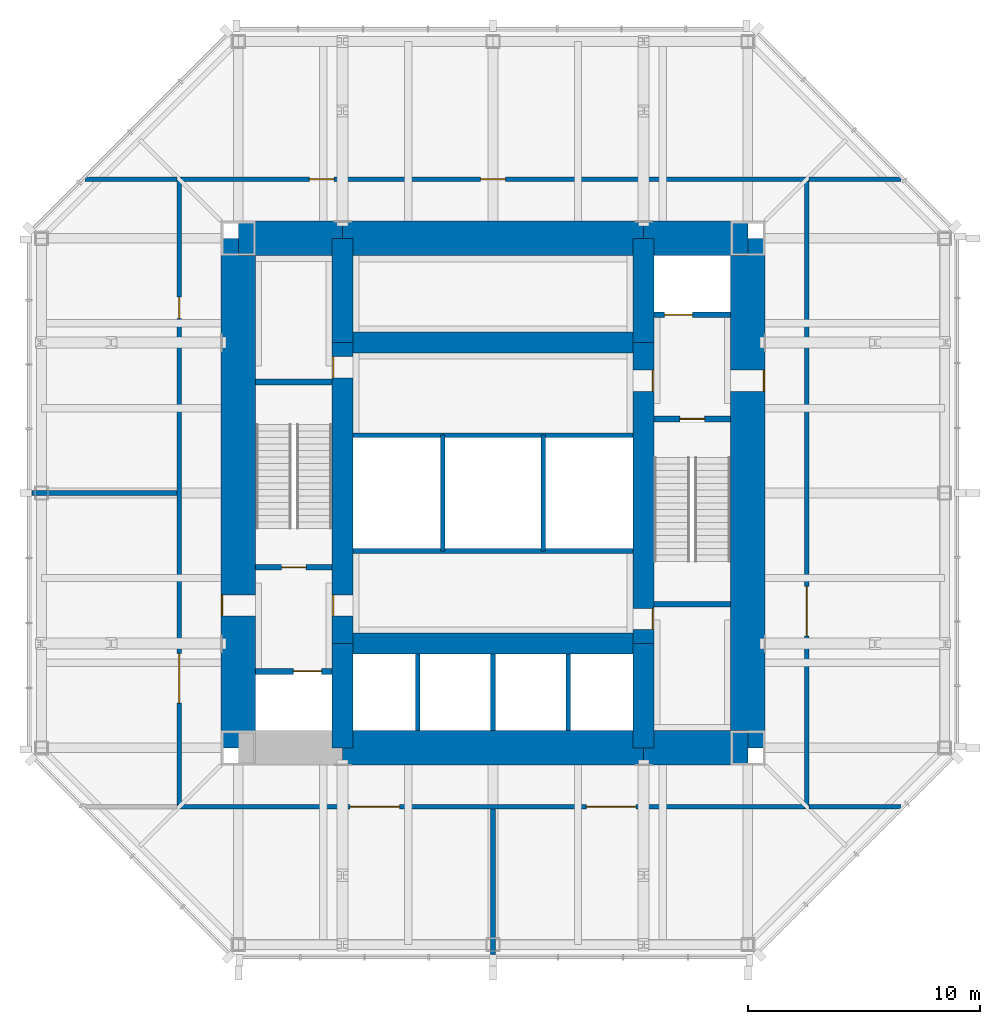
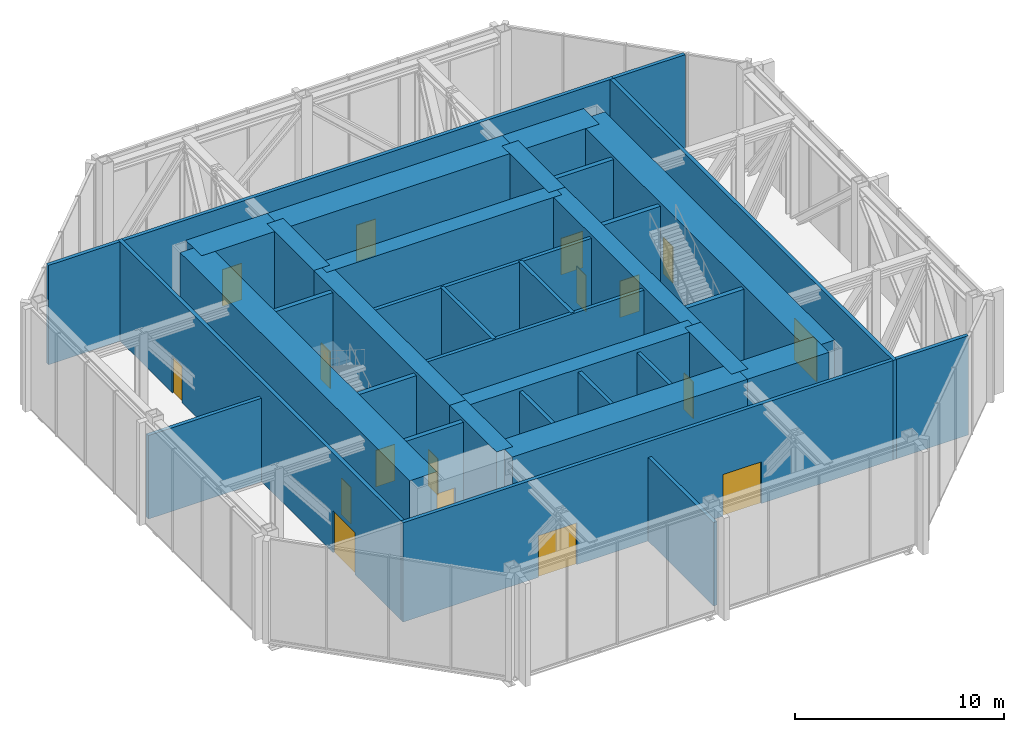
# One storey, part 9 of 11: 37 walls, 17 doors, 17 openings.
"""IFC4 building model written with IfcOpenShell, lengths in metres."""

from ifc_helpers import new_model, si_unit, direction, frame, frame_2d, origin, place, context, subcontext, project, spatial, rectangle, extrude, material, layer, layer_set, type_object, element, fill, save


model = new_model("IFC4")

# Units and contexts
model_context = context("Model", 3, precision=1e-05, world=origin(), true_north=direction((0.0, 1.0)))
body_context = subcontext(model_context, "Body", "Model", "MODEL_VIEW")
ifc_project = project(units=[si_unit("LENGTHUNIT", "METRE"), si_unit("AREAUNIT", "SQUARE_METRE"), si_unit("VOLUMEUNIT", "CUBIC_METRE"), si_unit("PLANEANGLEUNIT", "RADIAN"), si_unit("MASSUNIT", "GRAM", prefix="KILO")], contexts=[model_context])

# Site, building, storey
site_placement = place(None, origin())
site = spatial("IfcSite", under=ifc_project, at=site_placement, CompositionType="ELEMENT")
building_placement = place(site_placement, origin())
building = spatial("IfcBuilding", under=site, at=building_placement, Name="Trevanion Tower", CompositionType="ELEMENT")
storey_placement = place(building_placement, frame((0.0, 0.0, 257.199951171875)))
storey = spatial("IfcBuildingStorey", under=building, at=storey_placement, Name="L63", CompositionType="ELEMENT", Elevation=257.199951171875)

# Wall, opening, door
ifc_material_1 = material(Name="Concrete 10,000 psi", Category="concrete")
ifc_layer_1 = layer(ifc_material_1, 1.5)
ifc_layer_set_1 = layer_set([ifc_layer_1], Name="CW1 core wall 1500")
wall_type_1 = type_object("IfcWallType", Name="CW1 core wall 1500", PredefinedType="SHEAR", material=ifc_layer_set_1)
wall_1_placement = place(storey_placement, frame((11.0, -11.0, 0.0), z_axis=(0.0, 0.0, 1.0), x_axis=(0.0, 1.0, 0.0)))
wall_1 = element("IfcWall", 1, at=wall_1_placement, inside=storey, type_object=wall_type_1, Name="CW1 CE L63", PredefinedType="SHEAR", context=body_context, shape_type="SweptSolid", body=[
    extrude(rectangle(XDim=22.0, YDim=1.5, at=frame_2d((11.0, 0.0))), origin(), (0.0, 0.0, 1.0), 6.0),
])
opening_1_placement = place(wall_1_placement, frame((15.392578125, 0.0, 0.0)))
opening_1 = element("IfcOpeningElement", 2, at=opening_1_placement, cuts=wall_1, Name="Opening 63-001", PredefinedType="OPENING", context=body_context, shape_type="SweptSolid", body=[
    extrude(rectangle(XDim=0.9150390625, YDim=2.134033203125, at=frame_2d((0.45751953125, 1.06689453125))), frame((0.0, 0.760009765625, 0.0), z_axis=(0.0, -1.0, 0.0), x_axis=(1.0, 0.0, 0.0)), (0.0, 0.0, 1.0), 1.52001953125),
])
ifc_material_2 = material(Name="Hollow metal, fire rated", Category="steel")
door_type_1 = type_object("IfcDoorType", Name="D3 fire lift lobby door", OperationType="SINGLE_SWING_RIGHT", PredefinedType="DOOR", material=ifc_material_2)
door_1_placement = place(opening_1_placement, origin())
door_1 = element("IfcDoor", 3, at=door_1_placement, inside=storey, type_object=door_type_1, Name="Door 63-001", OperationType="SINGLE_SWING_RIGHT", OverallHeight=2.134033203125, OverallWidth=0.9150390625, PredefinedType="DOOR", context=body_context, shape_type="SweptSolid", body=[
    extrude(rectangle(XDim=0.9150390625, YDim=2.134033203125, at=frame_2d((0.45751953125, 1.06689453125))), frame((0.0, -0.6748046875, 0.0), z_axis=(0.0, -1.0, 0.0), x_axis=(1.0, 0.0, 0.0)), (0.0, 0.0, 1.0), 0.050048828125),
])
fill(opening_1, door_1)

wall_2_placement = place(storey_placement, frame((-11.0, 11.0, 0.0), z_axis=(0.0, 0.0, 1.0), x_axis=(0.0, -1.0, 0.0)))
wall_2 = element("IfcWall", 4, at=wall_2_placement, inside=storey, type_object=wall_type_1, Name="CW1 CW L63", PredefinedType="SHEAR", context=body_context, shape_type="SweptSolid", body=[
    extrude(rectangle(XDim=22.0, YDim=1.5, at=frame_2d((11.0, 0.0))), origin(), (0.0, 0.0, 1.0), 6.0),
])
opening_2_placement = place(wall_2_placement, frame((15.392578125, 0.0, 0.0)))
opening_2 = element("IfcOpeningElement", 5, at=opening_2_placement, cuts=wall_2, Name="Opening 63-002", PredefinedType="OPENING", context=body_context, shape_type="SweptSolid", body=[
    extrude(rectangle(XDim=0.9150390625, YDim=2.134033203125, at=frame_2d((0.45751953125, 1.06689453125))), frame((0.0, 0.760009765625, 0.0), z_axis=(0.0, -1.0, 0.0), x_axis=(1.0, 0.0, 0.0)), (0.0, 0.0, 1.0), 1.52001953125),
])
door_2_placement = place(opening_2_placement, origin())
door_2 = element("IfcDoor", 6, at=door_2_placement, inside=storey, type_object=door_type_1, Name="Door 63-002", OperationType="SINGLE_SWING_RIGHT", OverallHeight=2.134033203125, OverallWidth=0.9150390625, PredefinedType="DOOR", context=body_context, shape_type="SweptSolid", body=[
    extrude(rectangle(XDim=0.9150390625, YDim=2.134033203125, at=frame_2d((0.45751953125, 1.06689453125))), frame((0.0, -0.6748046875, 0.0), z_axis=(0.0, -1.0, 0.0), x_axis=(1.0, 0.0, 0.0)), (0.0, 0.0, 1.0), 0.050048828125),
])
fill(opening_2, door_2)

# Walls
wall_3_placement = place(storey_placement, frame((11.0, 11.0, 0.0), z_axis=(0.0, 0.0, 1.0), x_axis=(-1.0, 0.0, 0.0)))
element("IfcWall", 7, at=wall_3_placement, inside=storey, type_object=wall_type_1, Name="CW1 CN1 L63", PredefinedType="SHEAR", context=body_context, shape_type="SweptSolid", body=[
    extrude(rectangle(XDim=4.5, YDim=1.5, at=frame_2d((2.25, 0.0))), origin(), (0.0, 0.0, 1.0), 6.0),
])
wall_4_placement = place(storey_placement, frame((6.5, 11.0, 0.0), z_axis=(0.0, 0.0, 1.0), x_axis=(-1.0, 0.0, 0.0)))
element("IfcWall", 8, at=wall_4_placement, inside=storey, type_object=wall_type_1, Name="CW1 CN2 L63", PredefinedType="SHEAR", context=body_context, shape_type="SweptSolid", body=[
    extrude(rectangle(XDim=13.0, YDim=1.5, at=frame_2d((6.5, 0.0))), origin(), (0.0, 0.0, 1.0), 6.0),
])
wall_5_placement = place(storey_placement, frame((-6.5, 11.0, 0.0), z_axis=(0.0, 0.0, 1.0), x_axis=(-1.0, 0.0, 0.0)))
element("IfcWall", 9, at=wall_5_placement, inside=storey, type_object=wall_type_1, Name="CW1 CN3 L63", PredefinedType="SHEAR", context=body_context, shape_type="SweptSolid", body=[
    extrude(rectangle(XDim=4.5, YDim=1.5, at=frame_2d((2.25, 0.0))), origin(), (0.0, 0.0, 1.0), 6.0),
])
wall_6_placement = place(storey_placement, frame((-6.5, -11.0, 0.0), z_axis=(0.0, 0.0, 1.0), x_axis=(1.0, 0.0, 0.0)))
element("IfcWall", 10, at=wall_6_placement, inside=storey, type_object=wall_type_1, Name="CW1 CS2 L63", PredefinedType="SHEAR", context=body_context, shape_type="SweptSolid", body=[
    extrude(rectangle(XDim=13.0, YDim=1.5, at=frame_2d((6.5, 0.0))), origin(), (0.0, 0.0, 1.0), 6.0),
])
wall_7_placement = place(storey_placement, frame((6.5, -11.0, 0.0), z_axis=(0.0, 0.0, 1.0), x_axis=(1.0, 0.0, 0.0)))
element("IfcWall", 11, at=wall_7_placement, inside=storey, type_object=wall_type_1, Name="CW1 CS3 L63", PredefinedType="SHEAR", context=body_context, shape_type="SweptSolid", body=[
    extrude(rectangle(XDim=4.5, YDim=1.5, at=frame_2d((2.25, 0.0))), origin(), (0.0, 0.0, 1.0), 6.0),
])
ifc_material_3 = material(Name="Concrete 10,000 psi", Category="concrete")
ifc_layer_2 = layer(ifc_material_3, 0.89990234375)
ifc_layer_set_2 = layer_set([ifc_layer_2], Name="CW2 core wall 900")
wall_type_2 = type_object("IfcWallType", Name="CW2 core wall 900", PredefinedType="SHEAR", material=ifc_layer_set_2)
wall_8_placement = place(storey_placement, frame((6.5, -11.0, 0.0), z_axis=(0.0, 0.0, 1.0), x_axis=(0.0, 1.0, 0.0)))
element("IfcWall", 12, at=wall_8_placement, inside=storey, type_object=wall_type_2, Name="CW2 RE1 L63", PredefinedType="SHEAR", context=body_context, shape_type="SweptSolid", body=[
    extrude(rectangle(XDim=4.5, YDim=0.89990234375, at=frame_2d((2.25, 0.0))), origin(), (0.0, 0.0, 1.0), 6.0),
])

# Wall, openings, doors
wall_9_placement = place(storey_placement, frame((6.5, -6.5, 0.0), z_axis=(0.0, 0.0, 1.0), x_axis=(0.0, 1.0, 0.0)))
wall_9 = element("IfcWall", 13, at=wall_9_placement, inside=storey, type_object=wall_type_2, Name="CW2 RE2 L63", PredefinedType="SHEAR", context=body_context, shape_type="SweptSolid", body=[
    extrude(rectangle(XDim=13.0, YDim=0.89990234375, at=frame_2d((6.5, 0.0))), origin(), (0.0, 0.0, 1.0), 6.0),
])
opening_3_placement = place(wall_9_placement, frame((10.892578125, 0.0, 0.0)))
opening_3 = element("IfcOpeningElement", 14, at=opening_3_placement, cuts=wall_9, Name="Opening 63-003", PredefinedType="OPENING", context=body_context, shape_type="SweptSolid", body=[
    extrude(rectangle(XDim=0.9150390625, YDim=2.134033203125, at=frame_2d((0.45751953125, 1.06689453125))), frame((0.0, 0.4599609375, 0.0), z_axis=(0.0, -1.0, 0.0), x_axis=(1.0, 0.0, 0.0)), (0.0, 0.0, 1.0), 0.919921875),
])
opening_4_placement = place(wall_9_placement, frame((0.610107421875, 0.0, 0.0)))
opening_4 = element("IfcOpeningElement", 15, at=opening_4_placement, cuts=wall_9, Name="Opening 63-009", PredefinedType="OPENING", context=body_context, shape_type="SweptSolid", body=[
    extrude(rectangle(XDim=0.9150390625, YDim=2.134033203125, at=frame_2d((0.45751953125, 1.06689453125))), frame((0.0, 0.4599609375, 0.0), z_axis=(0.0, -1.0, 0.0), x_axis=(1.0, 0.0, 0.0)), (0.0, 0.0, 1.0), 0.919921875),
])
door_3_placement = place(opening_3_placement, origin())
door_3 = element("IfcDoor", 16, at=door_3_placement, inside=storey, type_object=door_type_1, Name="Door 63-003", OperationType="SINGLE_SWING_RIGHT", OverallHeight=2.134033203125, OverallWidth=0.9150390625, PredefinedType="DOOR", context=body_context, shape_type="SweptSolid", body=[
    extrude(rectangle(XDim=0.9150390625, YDim=2.134033203125, at=frame_2d((0.45751953125, 1.06689453125))), frame((0.0, -0.375, 0.0), z_axis=(0.0, -1.0, 0.0), x_axis=(1.0, 0.0, 0.0)), (0.0, 0.0, 1.0), 0.050048828125),
])
fill(opening_3, door_3)
ifc_material_4 = material(Name="Hollow metal, fire rated", Category="steel")
door_type_2 = type_object("IfcDoorType", Name="D5 service room door", OperationType="SINGLE_SWING_RIGHT", PredefinedType="DOOR", material=ifc_material_4)
door_4_placement = place(opening_4_placement, origin())
door_4 = element("IfcDoor", 17, at=door_4_placement, inside=storey, type_object=door_type_2, Name="Door 63-009", OperationType="SINGLE_SWING_RIGHT", OverallHeight=2.134033203125, OverallWidth=0.9150390625, PredefinedType="DOOR", context=body_context, shape_type="SweptSolid", body=[
    extrude(rectangle(XDim=0.9150390625, YDim=2.134033203125, at=frame_2d((0.45751953125, 1.06689453125))), frame((0.0, -0.375, 0.0), z_axis=(0.0, -1.0, 0.0), x_axis=(1.0, 0.0, 0.0)), (0.0, 0.0, 1.0), 0.050048828125),
])
fill(opening_4, door_4)

# Walls
for number, where, z_axis, x_axis, name in (
    (18, (6.5, 6.5, 0.0), (0.0, 0.0, 1.0), (0.0, 1.0, 0.0), "CW2 RE3 L63"),
    (19, (-6.5, 11.0, 0.0), (0.0, 0.0, 1.0), (0.0, -1.0, 0.0), "CW2 RW1 L63"),
):
    element("IfcWall", number, at=place(storey_placement, frame(where, z_axis=z_axis, x_axis=x_axis)), inside=storey, type_object=wall_type_2, Name=name, PredefinedType="SHEAR", context=body_context, shape_type="SweptSolid", body=[
        extrude(rectangle(XDim=4.5, YDim=0.89990234375, at=frame_2d((2.25, 0.0))), origin(), (0.0, 0.0, 1.0), 6.0),
    ])

# Wall, openings, doors
wall_10_placement = place(storey_placement, frame((-6.5, 6.5, 0.0), z_axis=(0.0, 0.0, 1.0), x_axis=(0.0, -1.0, 0.0)))
wall_10 = element("IfcWall", 20, at=wall_10_placement, inside=storey, type_object=wall_type_2, Name="CW2 RW2 L63", PredefinedType="SHEAR", context=body_context, shape_type="SweptSolid", body=[
    extrude(rectangle(XDim=13.0, YDim=0.89990234375, at=frame_2d((6.5, 0.0))), origin(), (0.0, 0.0, 1.0), 6.0),
])
opening_5_placement = place(wall_10_placement, frame((10.892578125, 0.0, 0.0)))
opening_5 = element("IfcOpeningElement", 21, at=opening_5_placement, cuts=wall_10, Name="Opening 63-004", PredefinedType="OPENING", context=body_context, shape_type="SweptSolid", body=[
    extrude(rectangle(XDim=0.9150390625, YDim=2.134033203125, at=frame_2d((0.45751953125, 1.06689453125))), frame((0.0, 0.4599609375, 0.0), z_axis=(0.0, -1.0, 0.0), x_axis=(1.0, 0.0, 0.0)), (0.0, 0.0, 1.0), 0.919921875),
])
opening_6_placement = place(wall_10_placement, frame((0.610107421875, 0.0, 0.0)))
opening_6 = element("IfcOpeningElement", 22, at=opening_6_placement, cuts=wall_10, Name="Opening 63-010", PredefinedType="OPENING", context=body_context, shape_type="SweptSolid", body=[
    extrude(rectangle(XDim=0.9150390625, YDim=2.134033203125, at=frame_2d((0.45751953125, 1.06689453125))), frame((0.0, 0.4599609375, 0.0), z_axis=(0.0, -1.0, 0.0), x_axis=(1.0, 0.0, 0.0)), (0.0, 0.0, 1.0), 0.919921875),
])
door_5_placement = place(opening_5_placement, origin())
door_5 = element("IfcDoor", 23, at=door_5_placement, inside=storey, type_object=door_type_1, Name="Door 63-004", OperationType="SINGLE_SWING_RIGHT", OverallHeight=2.134033203125, OverallWidth=0.9150390625, PredefinedType="DOOR", context=body_context, shape_type="SweptSolid", body=[
    extrude(rectangle(XDim=0.9150390625, YDim=2.134033203125, at=frame_2d((0.45751953125, 1.06689453125))), frame((0.0, -0.375, 0.0), z_axis=(0.0, -1.0, 0.0), x_axis=(1.0, 0.0, 0.0)), (0.0, 0.0, 1.0), 0.050048828125),
])
fill(opening_5, door_5)
door_6_placement = place(opening_6_placement, origin())
door_6 = element("IfcDoor", 24, at=door_6_placement, inside=storey, type_object=door_type_2, Name="Door 63-010", OperationType="SINGLE_SWING_RIGHT", OverallHeight=2.134033203125, OverallWidth=0.9150390625, PredefinedType="DOOR", context=body_context, shape_type="SweptSolid", body=[
    extrude(rectangle(XDim=0.9150390625, YDim=2.134033203125, at=frame_2d((0.45751953125, 1.06689453125))), frame((0.0, -0.375, 0.0), z_axis=(0.0, -1.0, 0.0), x_axis=(1.0, 0.0, 0.0)), (0.0, 0.0, 1.0), 0.050048828125),
])
fill(opening_6, door_6)

# Walls
wall_11_placement = place(storey_placement, frame((-6.5, -6.5, 0.0), z_axis=(0.0, 0.0, 1.0), x_axis=(0.0, -1.0, 0.0)))
element("IfcWall", 25, at=wall_11_placement, inside=storey, type_object=wall_type_2, Name="CW2 RW3 L63", PredefinedType="SHEAR", context=body_context, shape_type="SweptSolid", body=[
    extrude(rectangle(XDim=4.5, YDim=0.89990234375, at=frame_2d((2.25, 0.0))), origin(), (0.0, 0.0, 1.0), 6.0),
])
for number, where, z_axis, x_axis, name in (
    (26, (6.5, 6.5, 0.0), (0.0, 0.0, 1.0), (-1.0, 0.0, 0.0), "CW2 RN L63"),
    (27, (-6.5, -6.5, 0.0), (0.0, 0.0, 1.0), (1.0, 0.0, 0.0), "CW2 RS L63"),
):
    element("IfcWall", number, at=place(storey_placement, frame(where, z_axis=z_axis, x_axis=x_axis)), inside=storey, type_object=wall_type_2, Name=name, PredefinedType="SHEAR", context=body_context, shape_type="SweptSolid", body=[
        extrude(rectangle(XDim=13.0, YDim=0.89990234375, at=frame_2d((6.5, 0.0))), origin(), (0.0, 0.0, 1.0), 6.0),
    ])
ifc_material_5 = material(Name="Concrete masonry, grouted", Category="masonry")
ifc_layer_3 = layer(ifc_material_5, 0.199951171875)
ifc_layer_set_3 = layer_set([ifc_layer_3], Name="PT2 partition 200 1 HR")
wall_type_3 = type_object("IfcWallType", Name="PT2 partition 200 1 HR", PredefinedType="PARTITIONING", material=ifc_layer_set_3)
for number, where, z_axis, x_axis, name in (
    (28, (-6.050048828125, 2.5, 0.0), (0.0, 0.0, 1.0), (1.0, 0.0, 0.0), "PT2 L63 CP1"),
    (29, (6.050048828125, -2.5, 0.0), (0.0, 0.0, 1.0), (-1.0, 0.0, 0.0), "PT2 L63 CP2"),
):
    element("IfcWall", number, at=place(storey_placement, frame(where, z_axis=z_axis, x_axis=x_axis)), inside=storey, type_object=wall_type_3, Name=name, PredefinedType="PARTITIONING", context=body_context, shape_type="SweptSolid", body=[
        extrude(rectangle(XDim=12.10009765625, YDim=0.199951171875, at=frame_2d((6.050048828125, 0.0))), origin(), (0.0, 0.0, 1.0), 5.81005859375),
    ])
ifc_material_6 = material(Name="Concrete masonry, grouted", Category="masonry")
ifc_layer_4 = layer(ifc_material_6, 0.199951171875)
ifc_layer_set_4 = layer_set([ifc_layer_4], Name="PT2 partition 200 2 HR")
wall_type_4 = type_object("IfcWallType", Name="PT2 partition 200 2 HR", PredefinedType="PARTITIONING", material=ifc_layer_set_4)
for number, where, z_axis, x_axis, name in (
    (30, (-3.25, -10.25, 0.0), (0.0, 0.0, 1.0), (0.0, 1.0, 0.0), "PT2 L63 SS0"),
    (31, (0.0, -10.25, 0.0), (0.0, 0.0, 1.0), (0.0, 1.0, 0.0), "PT2 L63 SS1"),
    (32, (3.25, -10.25, 0.0), (0.0, 0.0, 1.0), (0.0, 1.0, 0.0), "PT2 L63 SS2"),
):
    element("IfcWall", number, at=place(storey_placement, frame(where, z_axis=z_axis, x_axis=x_axis)), inside=storey, type_object=wall_type_4, Name=name, PredefinedType="PARTITIONING", context=body_context, shape_type="SweptSolid", body=[
        extrude(rectangle(XDim=3.300048828125, YDim=0.199951171875, at=frame_2d((1.64990234375, 0.0))), origin(), (0.0, 0.0, 1.0), 5.81005859375),
    ])
for number, where, z_axis, x_axis, name in (
    (33, (-2.166748046875, -2.5, 0.0), (0.0, 0.0, 1.0), (0.0, 1.0, 0.0), "PT2 L63 MS0"),
    (34, (2.166748046875, -2.5, 0.0), (0.0, 0.0, 1.0), (0.0, 1.0, 0.0), "PT2 L63 MS1"),
):
    element("IfcWall", number, at=place(storey_placement, frame(where, z_axis=z_axis, x_axis=x_axis)), inside=storey, type_object=wall_type_4, Name=name, PredefinedType="PARTITIONING", context=body_context, shape_type="SweptSolid", body=[
        extrude(rectangle(XDim=5.0, YDim=0.199951171875, at=frame_2d((2.5, 0.0))), origin(), (0.0, 0.0, 1.0), 5.81005859375),
    ])

# Wall, opening, door
wall_12_placement = place(storey_placement, frame((13.550048828125, -13.64990234375, 0.0), z_axis=(0.0, 0.0, 1.0), x_axis=(0.0, 1.0, 0.0)))
wall_12 = element("IfcWall", 35, at=wall_12_placement, inside=storey, type_object=wall_type_4, Name="PT2 L63 PW0", PredefinedType="PARTITIONING", context=body_context, shape_type="SweptSolid", body=[
    extrude(rectangle(XDim=27.099853515625, YDim=0.199951171875, at=frame_2d((13.5498046875, 0.0))), origin(), (0.0, 0.0, 1.0), 5.81005859375),
])
opening_7_placement = place(wall_12_placement, frame((7.48291015625, 0.0, 0.0)))
opening_7 = element("IfcOpeningElement", 36, at=opening_7_placement, cuts=wall_12, Name="Opening 63-013", PredefinedType="OPENING", context=body_context, shape_type="SweptSolid", body=[
    extrude(rectangle(XDim=2.134033203125, YDim=2.43798828125, at=frame_2d((1.06689453125, 1.218994140625))), frame((0.0, 0.10986328125, 0.0), z_axis=(0.0, -1.0, 0.0), x_axis=(1.0, 0.0, 0.0)), (0.0, 0.0, 1.0), 0.219970703125),
])
ifc_material_7 = material(Name="Hollow metal, fire rated", Category="steel")
door_type_3 = type_object("IfcDoorType", Name="D15 plant room equipment double door", OperationType="DOUBLE_DOOR_SINGLE_SWING", PredefinedType="DOOR", material=ifc_material_7)
door_7_placement = place(opening_7_placement, origin())
door_7 = element("IfcDoor", 37, at=door_7_placement, inside=storey, type_object=door_type_3, Name="Door 63-013", OperationType="DOUBLE_DOOR_SINGLE_SWING", OverallHeight=2.43798828125, OverallWidth=2.134033203125, PredefinedType="DOOR", context=body_context, shape_type="SweptSolid", body=[
    extrude(rectangle(XDim=2.134033203125, YDim=2.43798828125, at=frame_2d((1.06689453125, 1.218994140625))), frame((0.0, 0.02490234375, 0.0), z_axis=(0.0, -1.0, 0.0), x_axis=(1.0, 0.0, 0.0)), (0.0, 0.0, 1.0), 0.050048828125),
])
fill(opening_7, door_7)

# Wall, openings, doors
wall_13_placement = place(storey_placement, frame((13.64990234375, 13.550048828125, 0.0), z_axis=(0.0, 0.0, 1.0), x_axis=(-1.0, 0.0, 0.0)))
wall_13 = element("IfcWall", 38, at=wall_13_placement, inside=storey, type_object=wall_type_4, Name="PT2 L63 PW1", PredefinedType="PARTITIONING", context=body_context, shape_type="SweptSolid", body=[
    extrude(rectangle(XDim=27.099853515625, YDim=0.199951171875, at=frame_2d((13.5498046875, 0.0))), origin(), (0.0, 0.0, 1.0), 5.81005859375),
])
opening_8_placement = place(wall_13_placement, frame((13.116455078125, 0.0, 0.0)))
opening_8 = element("IfcOpeningElement", 39, at=opening_8_placement, cuts=wall_13, Name="Opening 63-011", PredefinedType="OPENING", context=body_context, shape_type="SweptSolid", body=[
    extrude(rectangle(XDim=1.06689453125, YDim=2.134033203125, at=frame_2d((0.533447265625, 1.06689453125))), frame((0.0, 0.10986328125, 0.0), z_axis=(0.0, -1.0, 0.0), x_axis=(1.0, 0.0, 0.0)), (0.0, 0.0, 1.0), 0.219970703125),
])
opening_9_placement = place(wall_13_placement, frame((20.5166015625, 0.0, 0.0)))
opening_9 = element("IfcOpeningElement", 40, at=opening_9_placement, cuts=wall_13, Name="Opening 63-012", PredefinedType="OPENING", context=body_context, shape_type="SweptSolid", body=[
    extrude(rectangle(XDim=1.06689453125, YDim=2.134033203125, at=frame_2d((0.533447265625, 1.06689453125))), frame((0.0, 0.10986328125, 0.0), z_axis=(0.0, -1.0, 0.0), x_axis=(1.0, 0.0, 0.0)), (0.0, 0.0, 1.0), 0.219970703125),
])
ifc_material_8 = material(Name="Hollow metal, fire rated", Category="steel")
door_type_4 = type_object("IfcDoorType", Name="D2 exit stair door", OperationType="SINGLE_SWING_LEFT", PredefinedType="DOOR", material=ifc_material_8)
door_8_placement = place(opening_8_placement, origin())
door_8 = element("IfcDoor", 41, at=door_8_placement, inside=storey, type_object=door_type_4, Name="Door 63-011", OperationType="SINGLE_SWING_LEFT", OverallHeight=2.134033203125, OverallWidth=1.06689453125, PredefinedType="DOOR", context=body_context, shape_type="SweptSolid", body=[
    extrude(rectangle(XDim=1.06689453125, YDim=2.134033203125, at=frame_2d((0.533447265625, 1.06689453125))), frame((0.0, 0.02490234375, 0.0), z_axis=(0.0, -1.0, 0.0), x_axis=(1.0, 0.0, 0.0)), (0.0, 0.0, 1.0), 0.050048828125),
])
fill(opening_8, door_8)
door_9_placement = place(opening_9_placement, origin())
door_9 = element("IfcDoor", 42, at=door_9_placement, inside=storey, type_object=door_type_4, Name="Door 63-012", OperationType="SINGLE_SWING_LEFT", OverallHeight=2.134033203125, OverallWidth=1.06689453125, PredefinedType="DOOR", context=body_context, shape_type="SweptSolid", body=[
    extrude(rectangle(XDim=1.06689453125, YDim=2.134033203125, at=frame_2d((0.533447265625, 1.06689453125))), frame((0.0, 0.02490234375, 0.0), z_axis=(0.0, -1.0, 0.0), x_axis=(1.0, 0.0, 0.0)), (0.0, 0.0, 1.0), 0.050048828125),
])
fill(opening_9, door_9)

wall_14_placement = place(storey_placement, frame((-13.550048828125, 13.64990234375, 0.0), z_axis=(0.0, 0.0, 1.0), x_axis=(0.0, -1.0, 0.0)))
wall_14 = element("IfcWall", 43, at=wall_14_placement, inside=storey, type_object=wall_type_4, Name="PT2 L63 PW2", PredefinedType="PARTITIONING", context=body_context, shape_type="SweptSolid", body=[
    extrude(rectangle(XDim=27.099853515625, YDim=0.199951171875, at=frame_2d((13.5498046875, 0.0))), origin(), (0.0, 0.0, 1.0), 5.81005859375),
])
opening_10_placement = place(wall_14_placement, frame((20.5830078125, 0.0, 0.0)))
opening_10 = element("IfcOpeningElement", 44, at=opening_10_placement, cuts=wall_14, Name="Opening 63-016", PredefinedType="OPENING", context=body_context, shape_type="SweptSolid", body=[
    extrude(rectangle(XDim=2.134033203125, YDim=2.43798828125, at=frame_2d((1.06689453125, 1.218994140625))), frame((0.0, 0.10986328125, 0.0), z_axis=(0.0, -1.0, 0.0), x_axis=(1.0, 0.0, 0.0)), (0.0, 0.0, 1.0), 0.219970703125),
])
opening_11_placement = place(wall_14_placement, frame((5.1923828125, 0.0, 0.0)))
opening_11 = element("IfcOpeningElement", 45, at=opening_11_placement, cuts=wall_14, Name="Opening 63-017", PredefinedType="OPENING", context=body_context, shape_type="SweptSolid", body=[
    extrude(rectangle(XDim=0.9150390625, YDim=2.134033203125, at=frame_2d((0.45751953125, 1.06689453125))), frame((0.0, 0.10986328125, 0.0), z_axis=(0.0, -1.0, 0.0), x_axis=(1.0, 0.0, 0.0)), (0.0, 0.0, 1.0), 0.219970703125),
])
door_10_placement = place(opening_10_placement, origin())
door_10 = element("IfcDoor", 46, at=door_10_placement, inside=storey, type_object=door_type_3, Name="Door 63-016", OperationType="DOUBLE_DOOR_SINGLE_SWING", OverallHeight=2.43798828125, OverallWidth=2.134033203125, PredefinedType="DOOR", context=body_context, shape_type="SweptSolid", body=[
    extrude(rectangle(XDim=2.134033203125, YDim=2.43798828125, at=frame_2d((1.06689453125, 1.218994140625))), frame((0.0, 0.02490234375, 0.0), z_axis=(0.0, -1.0, 0.0), x_axis=(1.0, 0.0, 0.0)), (0.0, 0.0, 1.0), 0.050048828125),
])
fill(opening_10, door_10)
door_11_placement = place(opening_11_placement, origin())
door_11 = element("IfcDoor", 47, at=door_11_placement, inside=storey, type_object=door_type_2, Name="Door 63-017", OperationType="SINGLE_SWING_RIGHT", OverallHeight=2.134033203125, OverallWidth=0.9150390625, PredefinedType="DOOR", context=body_context, shape_type="SweptSolid", body=[
    extrude(rectangle(XDim=0.9150390625, YDim=2.134033203125, at=frame_2d((0.45751953125, 1.06689453125))), frame((0.0, 0.02490234375, 0.0), z_axis=(0.0, -1.0, 0.0), x_axis=(1.0, 0.0, 0.0)), (0.0, 0.0, 1.0), 0.050048828125),
])
fill(opening_11, door_11)

wall_15_placement = place(storey_placement, frame((-13.64990234375, -13.550048828125, 0.0), z_axis=(0.0, 0.0, 1.0), x_axis=(1.0, 0.0, 0.0)))
wall_15 = element("IfcWall", 48, at=wall_15_placement, inside=storey, type_object=wall_type_4, Name="PT2 L63 PW3", PredefinedType="PARTITIONING", context=body_context, shape_type="SweptSolid", body=[
    extrude(rectangle(XDim=27.099853515625, YDim=0.199951171875, at=frame_2d((13.5498046875, 0.0))), origin(), (0.0, 0.0, 1.0), 5.81005859375),
])
opening_12_placement = place(wall_15_placement, frame((7.48291015625, 0.0, 0.0)))
opening_12 = element("IfcOpeningElement", 49, at=opening_12_placement, cuts=wall_15, Name="Opening 63-014", PredefinedType="OPENING", context=body_context, shape_type="SweptSolid", body=[
    extrude(rectangle(XDim=2.134033203125, YDim=2.43798828125, at=frame_2d((1.06689453125, 1.218994140625))), frame((0.0, 0.10986328125, 0.0), z_axis=(0.0, -1.0, 0.0), x_axis=(1.0, 0.0, 0.0)), (0.0, 0.0, 1.0), 0.219970703125),
])
opening_13_placement = place(wall_15_placement, frame((17.68310546875, 0.0, 0.0)))
opening_13 = element("IfcOpeningElement", 50, at=opening_13_placement, cuts=wall_15, Name="Opening 63-015", PredefinedType="OPENING", context=body_context, shape_type="SweptSolid", body=[
    extrude(rectangle(XDim=2.134033203125, YDim=2.43798828125, at=frame_2d((1.06689453125, 1.218994140625))), frame((0.0, 0.10986328125, 0.0), z_axis=(0.0, -1.0, 0.0), x_axis=(1.0, 0.0, 0.0)), (0.0, 0.0, 1.0), 0.219970703125),
])
door_12_placement = place(opening_12_placement, origin())
door_12 = element("IfcDoor", 51, at=door_12_placement, inside=storey, type_object=door_type_3, Name="Door 63-014", OperationType="DOUBLE_DOOR_SINGLE_SWING", OverallHeight=2.43798828125, OverallWidth=2.134033203125, PredefinedType="DOOR", context=body_context, shape_type="SweptSolid", body=[
    extrude(rectangle(XDim=2.134033203125, YDim=2.43798828125, at=frame_2d((1.06689453125, 1.218994140625))), frame((0.0, 0.02490234375, 0.0), z_axis=(0.0, -1.0, 0.0), x_axis=(1.0, 0.0, 0.0)), (0.0, 0.0, 1.0), 0.050048828125),
])
fill(opening_12, door_12)
door_13_placement = place(opening_13_placement, origin())
door_13 = element("IfcDoor", 52, at=door_13_placement, inside=storey, type_object=door_type_3, Name="Door 63-015", OperationType="DOUBLE_DOOR_SINGLE_SWING", OverallHeight=2.43798828125, OverallWidth=2.134033203125, PredefinedType="DOOR", context=body_context, shape_type="SweptSolid", body=[
    extrude(rectangle(XDim=2.134033203125, YDim=2.43798828125, at=frame_2d((1.06689453125, 1.218994140625))), frame((0.0, 0.02490234375, 0.0), z_axis=(0.0, -1.0, 0.0), x_axis=(1.0, 0.0, 0.0)), (0.0, 0.0, 1.0), 0.050048828125),
])
fill(opening_13, door_13)

# Walls
for number, where, z_axis, x_axis, name in (
    (53, (13.64990234375, 13.550048828125, 0.0), (0.0, 0.0, 1.0), (1.0, 0.0, 0.0), "PT2 L63 PBNE"),
    (54, (-13.64990234375, 13.550048828125, 0.0), (0.0, 0.0, 1.0), (-1.0, 0.0, 0.0), "PT2 L63 PBNW"),
    (55, (13.64990234375, -13.550048828125, 0.0), (0.0, 0.0, 1.0), (1.0, 0.0, 0.0), "PT2 L63 PBSE"),
):
    element("IfcWall", number, at=place(storey_placement, frame(where, z_axis=z_axis, x_axis=x_axis)), inside=storey, type_object=wall_type_4, Name=name, PredefinedType="PARTITIONING", context=body_context, shape_type="SweptSolid", body=[
        extrude(rectangle(XDim=3.963134765625, YDim=0.199951171875, at=frame_2d((1.9814453125, 0.0))), origin(), (0.0, 0.0, 1.0), 5.81005859375),
    ])
for number, where, z_axis, x_axis, name in (
    (56, (0.0, -13.64990234375, 0.0), (0.0, 0.0, 1.0), (0.0, -1.0, 0.0), "PT2 L63 PSX"),
    (57, (-13.64990234375, 0.0, 0.0), (0.0, 0.0, 1.0), (-1.0, 0.0, 0.0), "PT2 L63 PWX"),
):
    element("IfcWall", number, at=place(storey_placement, frame(where, z_axis=z_axis, x_axis=x_axis)), inside=storey, type_object=wall_type_4, Name=name, PredefinedType="PARTITIONING", context=body_context, shape_type="SweptSolid", body=[
        extrude(rectangle(XDim=6.26513671875, YDim=0.199951171875, at=frame_2d((3.132568359375, 0.0))), origin(), (0.0, 0.0, 1.0), 4.883056640625),
    ])

# Wall, opening, door
ifc_material_9 = material(Name="Concrete masonry, grouted, two-hour", Category="masonry")
ifc_layer_5 = layer(ifc_material_9, 0.25)
ifc_layer_set_5 = layer_set([ifc_layer_5], Name="PT3 partition 250 2 HR")
wall_type_5 = type_object("IfcWallType", Name="PT3 partition 250 2 HR", PredefinedType="PARTITIONING", material=ifc_layer_set_5)
wall_16_placement = place(storey_placement, frame((6.949951171875, 7.699951171875, 0.0), z_axis=(0.0, 0.0, 1.0), x_axis=(1.0, 0.0, 0.0)))
wall_16 = element("IfcWall", 58, at=wall_16_placement, inside=storey, type_object=wall_type_5, Name="PT3 L63 EP3", PredefinedType="PARTITIONING", context=body_context, shape_type="SweptSolid", body=[
    extrude(rectangle(XDim=3.300048828125, YDim=0.25, at=frame_2d((1.64990234375, 0.0))), origin(), (0.0, 0.0, 1.0), 5.81005859375),
])
opening_14_placement = place(wall_16_placement, frame((0.449951171875, 0.0, 0.0)))
opening_14 = element("IfcOpeningElement", 59, at=opening_14_placement, cuts=wall_16, Name="Opening 63-007", PredefinedType="OPENING", context=body_context, shape_type="SweptSolid", body=[
    extrude(rectangle(XDim=1.218994140625, YDim=2.134033203125, at=frame_2d((0.609375, 1.06689453125))), frame((0.0, 0.135009765625, 0.0), z_axis=(0.0, -1.0, 0.0), x_axis=(1.0, 0.0, 0.0)), (0.0, 0.0, 1.0), 0.27001953125),
])
ifc_material_10 = material(Name="Stainless steel, fire rated", Category="steel")
door_type_5 = type_object("IfcDoorType", Name="LD2 fire service lift landing door", OperationType="SLIDING_TO_LEFT", PredefinedType="DOOR", material=ifc_material_10)
door_14_placement = place(opening_14_placement, origin())
door_14 = element("IfcDoor", 60, at=door_14_placement, inside=storey, type_object=door_type_5, Name="Door 63-007", OperationType="SLIDING_TO_LEFT", OverallHeight=2.134033203125, OverallWidth=1.218994140625, PredefinedType="DOOR", context=body_context, shape_type="SweptSolid", body=[
    extrude(rectangle(XDim=1.218994140625, YDim=2.134033203125, at=frame_2d((0.609375, 1.06689453125))), frame((0.0, 0.02490234375, 0.0), z_axis=(0.0, -1.0, 0.0), x_axis=(1.0, 0.0, 0.0)), (0.0, 0.0, 1.0), 0.050048828125),
])
fill(opening_14, door_14)

wall_17_placement = place(storey_placement, frame((-6.949951171875, -7.699951171875, 0.0), z_axis=(0.0, 0.0, 1.0), x_axis=(-1.0, 0.0, 0.0)))
wall_17 = element("IfcWall", 61, at=wall_17_placement, inside=storey, type_object=wall_type_5, Name="PT3 L63 WP3", PredefinedType="PARTITIONING", context=body_context, shape_type="SweptSolid", body=[
    extrude(rectangle(XDim=3.300048828125, YDim=0.25, at=frame_2d((1.64990234375, 0.0))), origin(), (0.0, 0.0, 1.0), 5.81005859375),
])
opening_15_placement = place(wall_17_placement, frame((0.449951171875, 0.0, 0.0)))
opening_15 = element("IfcOpeningElement", 62, at=opening_15_placement, cuts=wall_17, Name="Opening 63-008", PredefinedType="OPENING", context=body_context, shape_type="SweptSolid", body=[
    extrude(rectangle(XDim=1.218994140625, YDim=2.134033203125, at=frame_2d((0.609375, 1.06689453125))), frame((0.0, 0.135009765625, 0.0), z_axis=(0.0, -1.0, 0.0), x_axis=(1.0, 0.0, 0.0)), (0.0, 0.0, 1.0), 0.27001953125),
])
door_15_placement = place(opening_15_placement, origin())
door_15 = element("IfcDoor", 63, at=door_15_placement, inside=storey, type_object=door_type_5, Name="Door 63-008", OperationType="SLIDING_TO_LEFT", OverallHeight=2.134033203125, OverallWidth=1.218994140625, PredefinedType="DOOR", context=body_context, shape_type="SweptSolid", body=[
    extrude(rectangle(XDim=1.218994140625, YDim=2.134033203125, at=frame_2d((0.609375, 1.06689453125))), frame((0.0, 0.02490234375, 0.0), z_axis=(0.0, -1.0, 0.0), x_axis=(1.0, 0.0, 0.0)), (0.0, 0.0, 1.0), 0.050048828125),
])
fill(opening_15, door_15)

# Walls
ifc_material_11 = material(Name="Reinforced masonry, fully grouted", Category="masonry")
ifc_layer_6 = layer(ifc_material_11, 0.25)
ifc_layer_set_6 = layer_set([ifc_layer_6], Name="SW1 stair shaft wall 250")
wall_type_6 = type_object("IfcWallType", Name="SW1 stair shaft wall 250", PredefinedType="SOLIDWALL", material=ifc_layer_set_6)
for number, where, z_axis, x_axis, name in (
    (64, (6.949951171875, -4.800048828125, 0.0), (0.0, 0.0, 1.0), (1.0, 0.0, 0.0), "SW1 L63 EP1"),
    (65, (-6.949951171875, 4.800048828125, 0.0), (0.0, 0.0, 1.0), (-1.0, 0.0, 0.0), "SW1 L63 WP1"),
):
    element("IfcWall", number, at=place(storey_placement, frame(where, z_axis=z_axis, x_axis=x_axis)), inside=storey, type_object=wall_type_6, Name=name, PredefinedType="SOLIDWALL", context=body_context, shape_type="SweptSolid", body=[
        extrude(rectangle(XDim=3.300048828125, YDim=0.25, at=frame_2d((1.64990234375, 0.0))), origin(), (0.0, 0.0, 1.0), 5.81005859375),
    ])

# Wall, opening, door
wall_18_placement = place(storey_placement, frame((6.949951171875, 3.199951171875, 0.0), z_axis=(0.0, 0.0, 1.0), x_axis=(1.0, 0.0, 0.0)))
wall_18 = element("IfcWall", 66, at=wall_18_placement, inside=storey, type_object=wall_type_6, Name="SW1 L63 EP2", PredefinedType="SOLIDWALL", context=body_context, shape_type="SweptSolid", body=[
    extrude(rectangle(XDim=3.300048828125, YDim=0.25, at=frame_2d((1.64990234375, 0.0))), origin(), (0.0, 0.0, 1.0), 5.81005859375),
])
opening_16_placement = place(wall_18_placement, frame((1.116455078125, 0.0, 0.0)))
opening_16 = element("IfcOpeningElement", 67, at=opening_16_placement, cuts=wall_18, Name="Opening 63-005", PredefinedType="OPENING", context=body_context, shape_type="SweptSolid", body=[
    extrude(rectangle(XDim=1.06689453125, YDim=2.134033203125, at=frame_2d((0.533447265625, 1.06689453125))), frame((0.0, 0.135009765625, 0.0), z_axis=(0.0, -1.0, 0.0), x_axis=(1.0, 0.0, 0.0)), (0.0, 0.0, 1.0), 0.27001953125),
])
door_16_placement = place(opening_16_placement, origin())
door_16 = element("IfcDoor", 68, at=door_16_placement, inside=storey, type_object=door_type_4, Name="Door 63-005", OperationType="SINGLE_SWING_LEFT", OverallHeight=2.134033203125, OverallWidth=1.06689453125, PredefinedType="DOOR", context=body_context, shape_type="SweptSolid", body=[
    extrude(rectangle(XDim=1.06689453125, YDim=2.134033203125, at=frame_2d((0.533447265625, 1.06689453125))), frame((0.0, 0.02490234375, 0.0), z_axis=(0.0, -1.0, 0.0), x_axis=(1.0, 0.0, 0.0)), (0.0, 0.0, 1.0), 0.050048828125),
])
fill(opening_16, door_16)

wall_19_placement = place(storey_placement, frame((-6.949951171875, -3.199951171875, 0.0), z_axis=(0.0, 0.0, 1.0), x_axis=(-1.0, 0.0, 0.0)))
wall_19 = element("IfcWall", 69, at=wall_19_placement, inside=storey, type_object=wall_type_6, Name="SW1 L63 WP2", PredefinedType="SOLIDWALL", context=body_context, shape_type="SweptSolid", body=[
    extrude(rectangle(XDim=3.300048828125, YDim=0.25, at=frame_2d((1.64990234375, 0.0))), origin(), (0.0, 0.0, 1.0), 5.81005859375),
])
opening_17_placement = place(wall_19_placement, frame((1.116455078125, 0.0, 0.0)))
opening_17 = element("IfcOpeningElement", 70, at=opening_17_placement, cuts=wall_19, Name="Opening 63-006", PredefinedType="OPENING", context=body_context, shape_type="SweptSolid", body=[
    extrude(rectangle(XDim=1.06689453125, YDim=2.134033203125, at=frame_2d((0.533447265625, 1.06689453125))), frame((0.0, 0.135009765625, 0.0), z_axis=(0.0, -1.0, 0.0), x_axis=(1.0, 0.0, 0.0)), (0.0, 0.0, 1.0), 0.27001953125),
])
door_17_placement = place(opening_17_placement, origin())
door_17 = element("IfcDoor", 71, at=door_17_placement, inside=storey, type_object=door_type_4, Name="Door 63-006", OperationType="SINGLE_SWING_LEFT", OverallHeight=2.134033203125, OverallWidth=1.06689453125, PredefinedType="DOOR", context=body_context, shape_type="SweptSolid", body=[
    extrude(rectangle(XDim=1.06689453125, YDim=2.134033203125, at=frame_2d((0.533447265625, 1.06689453125))), frame((0.0, 0.02490234375, 0.0), z_axis=(0.0, -1.0, 0.0), x_axis=(1.0, 0.0, 0.0)), (0.0, 0.0, 1.0), 0.050048828125),
])
fill(opening_17, door_17)

save(model, "model.ifc")
